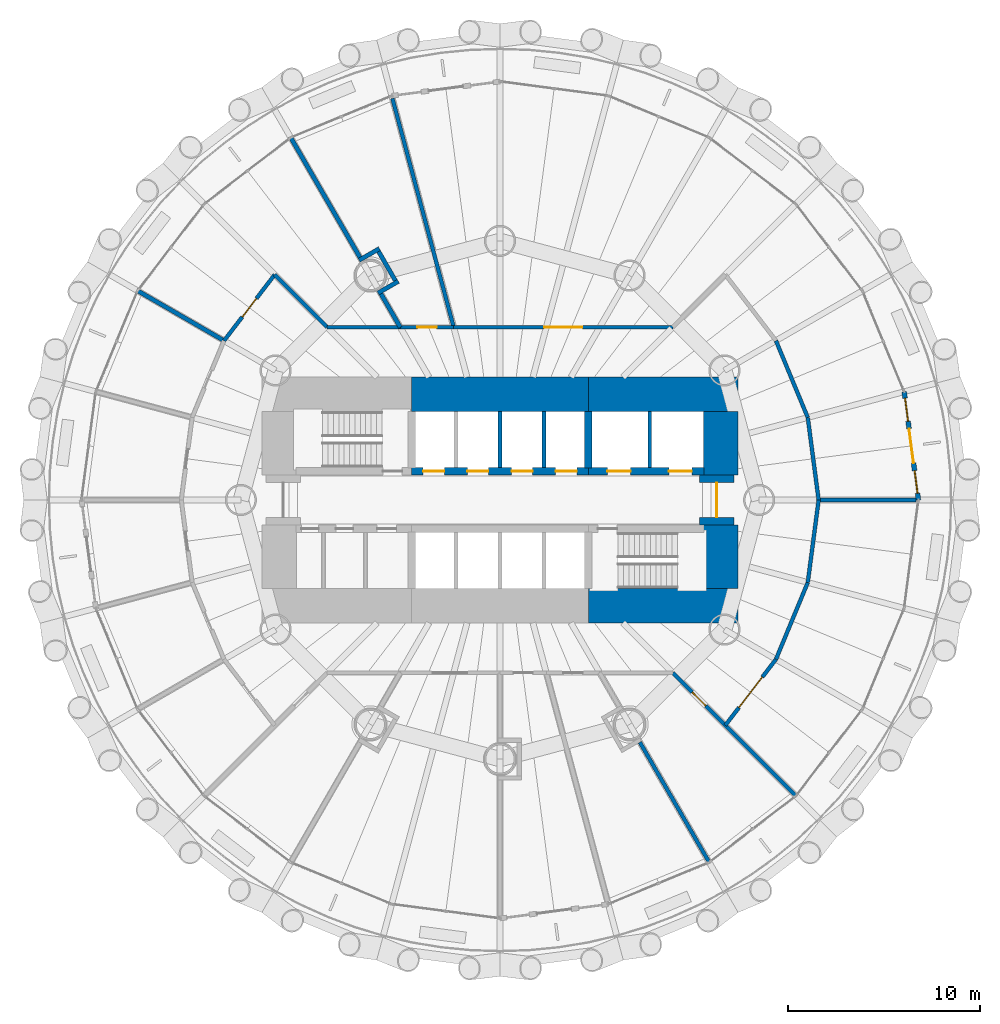
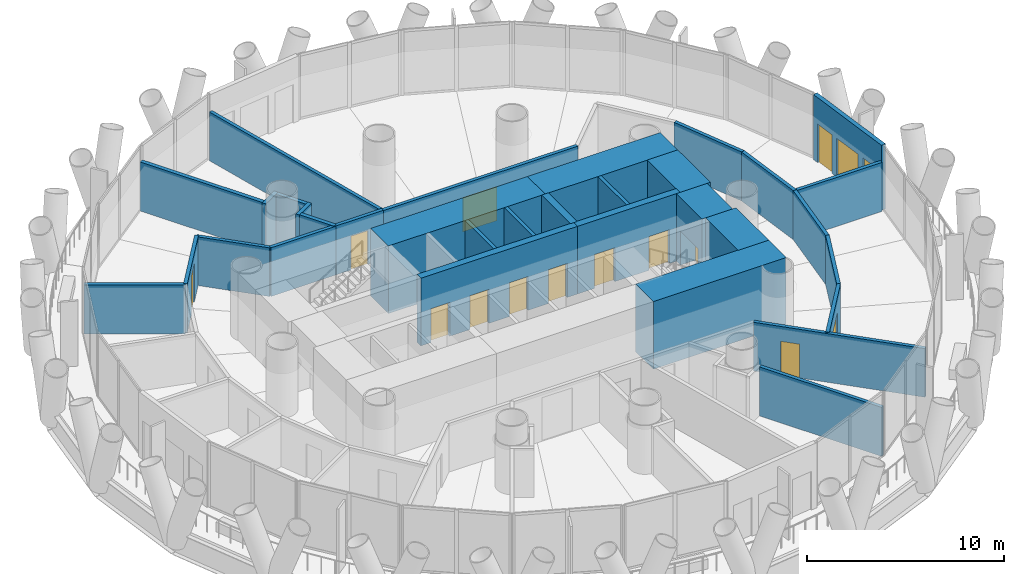
# One storey, part 11 of 16: 33 walls, 13 doors, 2 windows, 15 openings.
"""IFC4 building model written with IfcOpenShell, lengths in metres."""

from ifc_helpers import new_model, si_unit, direction, frame, frame_2d, origin, place, context, subcontext, project, spatial, rectangle, extrude, material, layer, layer_set, type_object, element, fill, save


model = new_model("IFC4")

# Units and contexts
model_context = context("Model", 3, precision=1e-05, world=origin(), true_north=direction((0.0, 1.0)))
body_context = subcontext(model_context, "Body", "Model", "MODEL_VIEW")
ifc_project = project(units=[si_unit("LENGTHUNIT", "METRE"), si_unit("AREAUNIT", "SQUARE_METRE"), si_unit("VOLUMEUNIT", "CUBIC_METRE"), si_unit("PLANEANGLEUNIT", "RADIAN"), si_unit("MASSUNIT", "GRAM", prefix="KILO")], contexts=[model_context])

# Site, building, storey
site_placement = place(None, origin())
site = spatial("IfcSite", under=ifc_project, at=site_placement, CompositionType="ELEMENT")
building_placement = place(site_placement, origin())
building = spatial("IfcBuilding", under=site, at=building_placement, Name="Qaws Media Tower", CompositionType="ELEMENT")
storey_placement = place(building_placement, frame((0.0, 0.0, 42.800048828125)))
storey = spatial("IfcBuildingStorey", under=building, at=storey_placement, Name="L08", CompositionType="ELEMENT", Elevation=42.800048828125)

# Walls
ifc_material_1 = material(Name="Twin metal stud frames, two layers gypsum board each side, insulated, Rw 55", Category="gypsum")
ifc_layer_1 = layer(ifc_material_1, 0.22509765625)
ifc_layer_set_1 = layer_set([ifc_layer_1], Name="Acoustic twin-stud partition 225 Rw 55")
wall_type_1 = type_object("IfcWallType", Name="Acoustic twin-stud partition 225 Rw 55", PredefinedType="PARTITIONING", material=ifc_layer_set_1)
wall_1_placement = place(storey_placement, frame((53.645263671875, 60.781494140625, 0.0), z_axis=(0.0, 0.0, 1.0), x_axis=(0.866019052629, 0.500011000363, 0.0)))
element("IfcWall", 1, at=wall_1_placement, inside=storey, type_object=wall_type_1, Name="W049 IW6 partition return L08", PredefinedType="PARTITIONING", context=body_context, shape_type="SweptSolid", body=[
    extrude(rectangle(XDim=1.220703125, YDim=0.22509765625, at=frame_2d((0.6103515625, 0.0))), origin(), (0.0, 0.0, 1.0), 3.02001953125),
])
wall_2_placement = place(storey_placement, frame((52.659912109375, 62.488525390625, 0.0), z_axis=(0.0, 0.0, 1.0), x_axis=(0.865969036334, 0.500097618581, 0.0)))
element("IfcWall", 2, at=wall_2_placement, inside=storey, type_object=wall_type_1, Name="W045 IW6 partition return L08", PredefinedType="PARTITIONING", context=body_context, shape_type="SweptSolid", body=[
    extrude(rectangle(XDim=1.220458984375, YDim=0.22509765625, at=frame_2d((0.6103515625, 0.0))), origin(), (0.0, 0.0, 1.0), 3.02001953125),
])
wall_3_placement = place(storey_placement, frame((54.548583984375, 61.43310546875, 0.0), z_axis=(0.0, 0.0, 1.0), x_axis=(-0.500049268192, 0.865996956912, 0.0)))
element("IfcWall", 3, at=wall_3_placement, inside=storey, type_object=wall_type_1, Name="W051 IW6 partition return L08", PredefinedType="PARTITIONING", context=body_context, shape_type="SweptSolid", body=[
    extrude(rectangle(XDim=1.745849609375, YDim=0.22509765625, at=frame_2d((0.873046875, 0.0))), origin(), (0.0, 0.0, 1.0), 3.02001953125),
])
wall_4_placement = place(storey_placement, frame((54.81005859375, 58.9892578125, 0.0), z_axis=(0.0, 0.0, 1.0), x_axis=(-0.499969802211, 0.866042837784, 0.0)))
element("IfcWall", 4, at=wall_4_placement, inside=storey, type_object=wall_type_1, Name="W053 IW6 partition L08", PredefinedType="PARTITIONING", context=body_context, shape_type="SweptSolid", body=[
    extrude(rectangle(XDim=2.022216796875, YDim=0.22509765625, at=frame_2d((1.01123046875, 0.0))), origin(), (0.0, 0.0, 1.0), 3.0400390625),
])
wall_5_placement = place(storey_placement, frame((52.700927734375, 62.64208984375, 0.0), z_axis=(0.0, 0.0, 1.0), x_axis=(-0.499970319043, 0.866042539415, 0.0)))
element("IfcWall", 5, at=wall_5_placement, inside=storey, type_object=wall_type_1, Name="W047 IW6 partition L08", PredefinedType="PARTITIONING", context=body_context, shape_type="SweptSolid", body=[
    extrude(rectangle(XDim=7.162109375, YDim=0.22509765625, at=frame_2d((3.5810546875, 0.0))), origin(), (0.0, 0.0, 1.0), 3.0400390625),
])
wall_6_placement = place(storey_placement, frame((45.6240234375, 58.300048828125, 0.0), z_axis=(0.0, 0.0, 1.0), x_axis=(-0.866042189445, 0.499970925255, 0.0)))
element("IfcWall", 6, at=wall_6_placement, inside=storey, type_object=wall_type_1, Name="W043 IW6 partition L08", PredefinedType="PARTITIONING", context=body_context, shape_type="SweptSolid", body=[
    extrude(rectangle(XDim=5.159912109375, YDim=0.22509765625, at=frame_2d((2.580078125, 0.0))), origin(), (0.0, 0.0, 1.0), 3.0400390625),
])

# Wall, openings, door, windows
ifc_material_2 = material(Name="Precast concrete, exposed finish", Category="concrete")
ifc_layer_2 = layer(ifc_material_2, 0.25)
ifc_layer_set_2 = layer_set([ifc_layer_2], Name="Balcony door wall 250")
wall_type_2 = type_object("IfcWallType", Name="Balcony door wall 250", PredefinedType="SOLIDWALL", material=ifc_layer_set_2)
wall_7_placement = place(storey_placement, frame((81.800048828125, 50.0, 0.0), z_axis=(0.0, 0.0, 1.0), x_axis=(-0.130542179395, 0.991442756491, 0.0)))
wall_7 = element("IfcWall", 7, at=wall_7_placement, inside=storey, type_object=wall_type_2, Name="W124 EW1 balcony door wall L08-01", PredefinedType="SOLIDWALL", context=body_context, shape_type="SweptSolid", body=[
    extrude(rectangle(XDim=5.69091796875, YDim=0.25, at=frame_2d((2.845458984375, 0.0))), origin(), (0.0, 0.0, 1.0), 4.0400390625),
])
opening_1_placement = place(wall_7_placement, frame((1.945556640625, 0.0, 0.0)))
opening_1 = element("IfcOpeningElement", 8, at=opening_1_placement, cuts=wall_7, Name="Opening D7", PredefinedType="OPENING", context=body_context, shape_type="SweptSolid", body=[
    extrude(rectangle(XDim=1.800048828125, YDim=2.39990234375, at=frame_2d((0.89990234375, 1.199951171875))), frame((0.0, 0.135009765625, 0.0), z_axis=(0.0, -1.0, 0.0), x_axis=(1.0, 0.0, 0.0)), (0.0, 0.0, 1.0), 0.27001953125),
])
opening_2_placement = place(wall_7_placement, frame((0.345458984375, 0.0, 0.0)))
opening_2 = element("IfcOpeningElement", 9, at=opening_2_placement, cuts=wall_7, Name="Opening W1", PredefinedType="OPENING", context=body_context, shape_type="SweptSolid", body=[
    extrude(rectangle(XDim=1.199951171875, YDim=2.39990234375, at=frame_2d((0.60009765625, 1.199951171875))), frame((0.0, 0.135009765625, 0.0), z_axis=(0.0, -1.0, 0.0), x_axis=(1.0, 0.0, 0.0)), (0.0, 0.0, 1.0), 0.27001953125),
])
opening_3_placement = place(wall_7_placement, frame((4.1455078125, 0.0, 0.0)))
opening_3 = element("IfcOpeningElement", 10, at=opening_3_placement, cuts=wall_7, Name="Opening W1", PredefinedType="OPENING", context=body_context, shape_type="SweptSolid", body=[
    extrude(rectangle(XDim=1.199951171875, YDim=2.39990234375, at=frame_2d((0.60009765625, 1.199951171875))), frame((0.0, 0.135009765625, 0.0), z_axis=(0.0, -1.0, 0.0), x_axis=(1.0, 0.0, 0.0)), (0.0, 0.0, 1.0), 0.27001953125),
])
ifc_material_3 = material(Name="Aluminium and clear glass", Category="aluminium")
door_type_1 = type_object("IfcDoorType", Name="Balcony door pair 1800", OperationType="DOUBLE_DOOR_SLIDING", PredefinedType="DOOR", material=ifc_material_3)
door_1_placement = place(opening_1_placement, origin())
door_1 = element("IfcDoor", 11, at=door_1_placement, inside=storey, type_object=door_type_1, Name="D7 balcony door L08-01 in wall W124", OperationType="DOUBLE_DOOR_SLIDING", OverallHeight=2.39990234375, OverallWidth=1.800048828125, PredefinedType="DOOR", context=body_context, shape_type="SweptSolid", body=[
    extrude(rectangle(XDim=1.800048828125, YDim=2.39990234375, at=frame_2d((0.89990234375, 1.199951171875))), frame((0.0, 0.02490234375, 0.0), z_axis=(0.0, -1.0, 0.0), x_axis=(1.0, 0.0, 0.0)), (0.0, 0.0, 1.0), 0.050048828125),
])
fill(opening_1, door_1)
ifc_material_4 = material(Name="Aluminium and clear glass", Category="aluminium")
window_type = type_object("IfcWindowType", Name="Balcony side window 1200", PartitioningType="SINGLE_PANEL", PredefinedType="WINDOW", material=ifc_material_4)
window_1_placement = place(opening_2_placement, origin())
window_1 = element("IfcWindow", 12, at=window_1_placement, inside=storey, type_object=window_type, Name="W1 balcony side light L08-01L", OverallHeight=2.39990234375, OverallWidth=1.199951171875, PartitioningType="SINGLE_PANEL", PredefinedType="WINDOW", context=body_context, shape_type="SweptSolid", body=[
    extrude(rectangle(XDim=1.199951171875, YDim=2.39990234375, at=frame_2d((0.60009765625, 1.199951171875))), frame((0.0, 0.030029296875, 0.0), z_axis=(0.0, -1.0, 0.0), x_axis=(1.0, 0.0, 0.0)), (0.0, 0.0, 1.0), 0.06005859375),
])
fill(opening_2, window_1)
window_2_placement = place(opening_3_placement, origin())
window_2 = element("IfcWindow", 13, at=window_2_placement, inside=storey, type_object=window_type, Name="W1 balcony side light L08-01R", OverallHeight=2.39990234375, OverallWidth=1.199951171875, PartitioningType="SINGLE_PANEL", PredefinedType="WINDOW", context=body_context, shape_type="SweptSolid", body=[
    extrude(rectangle(XDim=1.199951171875, YDim=2.39990234375, at=frame_2d((0.60009765625, 1.199951171875))), frame((0.0, 0.030029296875, 0.0), z_axis=(0.0, -1.0, 0.0), x_axis=(1.0, 0.0, 0.0)), (0.0, 0.0, 1.0), 0.06005859375),
])
fill(opening_3, window_2)

# Wall, openings, doors
ifc_material_5 = material(Name="Concrete C60/75", Category="concrete")
ifc_layer_3 = layer(ifc_material_5, 0.39990234375)
ifc_layer_set_3 = layer_set([ifc_layer_3], Name="Core inner wall 400")
wall_type_3 = type_object("IfcWallType", Name="Core inner wall 400", PredefinedType="SHEAR", material=ifc_layer_set_3)
wall_8_placement = place(storey_placement, frame((55.39990234375, 51.5, 0.0), z_axis=(0.0, 0.0, 1.0), x_axis=(1.0, 0.0, 0.0)))
wall_8 = element("IfcWall", 14, at=wall_8_placement, inside=storey, type_object=wall_type_3, Name="W314 SW4 core wall SPN L08", PredefinedType="SHEAR", context=body_context, shape_type="SweptSolid", body=[
    extrude(rectangle(XDim=9.2001953125, YDim=0.39990234375, at=frame_2d((4.60009765625, 0.0))), origin(), (0.0, 0.0, 1.0), 4.199951171875),
])
opening_4_placement = place(wall_8_placement, frame((0.60009765625, 0.0, 0.0)))
opening_4 = element("IfcOpeningElement", 15, at=opening_4_placement, cuts=wall_8, Name="Opening LD", PredefinedType="OPENING", context=body_context, shape_type="SweptSolid", body=[
    extrude(rectangle(XDim=1.10009765625, YDim=2.10009765625, at=frame_2d((0.550048828125, 1.050048828125))), frame((0.0, 0.2099609375, 0.0), z_axis=(0.0, -1.0, 0.0), x_axis=(1.0, 0.0, 0.0)), (0.0, 0.0, 1.0), 0.419921875),
])
opening_5_placement = place(wall_8_placement, frame((2.89990234375, 0.0, 0.0)))
opening_5 = element("IfcOpeningElement", 16, at=opening_5_placement, cuts=wall_8, Name="Opening LD", PredefinedType="OPENING", context=body_context, shape_type="SweptSolid", body=[
    extrude(rectangle(XDim=1.10009765625, YDim=2.10009765625, at=frame_2d((0.550048828125, 1.050048828125))), frame((0.0, 0.2099609375, 0.0), z_axis=(0.0, -1.0, 0.0), x_axis=(1.0, 0.0, 0.0)), (0.0, 0.0, 1.0), 0.419921875),
])
opening_6_placement = place(wall_8_placement, frame((5.199951171875, 0.0, 0.0)))
opening_6 = element("IfcOpeningElement", 17, at=opening_6_placement, cuts=wall_8, Name="Opening LD", PredefinedType="OPENING", context=body_context, shape_type="SweptSolid", body=[
    extrude(rectangle(XDim=1.10009765625, YDim=2.10009765625, at=frame_2d((0.550048828125, 1.050048828125))), frame((0.0, 0.2099609375, 0.0), z_axis=(0.0, -1.0, 0.0), x_axis=(1.0, 0.0, 0.0)), (0.0, 0.0, 1.0), 0.419921875),
])
opening_7_placement = place(wall_8_placement, frame((7.5, 0.0, 0.0)))
opening_7 = element("IfcOpeningElement", 18, at=opening_7_placement, cuts=wall_8, Name="Opening LD", PredefinedType="OPENING", context=body_context, shape_type="SweptSolid", body=[
    extrude(rectangle(XDim=1.10009765625, YDim=2.10009765625, at=frame_2d((0.550048828125, 1.050048828125))), frame((0.0, 0.2099609375, 0.0), z_axis=(0.0, -1.0, 0.0), x_axis=(1.0, 0.0, 0.0)), (0.0, 0.0, 1.0), 0.419921875),
])
ifc_material_6 = material(Name="Steel, fire rated", Category="steel")
door_type_2 = type_object("IfcDoorType", Name="Lift landing door 1100", OperationType="SLIDING_TO_LEFT", PredefinedType="DOOR", material=ifc_material_6)
door_2_placement = place(opening_4_placement, origin())
door_2 = element("IfcDoor", 19, at=door_2_placement, inside=storey, type_object=door_type_2, Name="P1 landing door L08 in wall W314", OperationType="SLIDING_TO_LEFT", OverallHeight=2.10009765625, OverallWidth=1.10009765625, PredefinedType="DOOR", context=body_context, shape_type="SweptSolid", body=[
    extrude(rectangle(XDim=1.10009765625, YDim=2.10009765625, at=frame_2d((0.550048828125, 1.050048828125))), frame((0.0, 0.02490234375, 0.0), z_axis=(0.0, -1.0, 0.0), x_axis=(1.0, 0.0, 0.0)), (0.0, 0.0, 1.0), 0.050048828125),
])
fill(opening_4, door_2)
door_3_placement = place(opening_5_placement, origin())
door_3 = element("IfcDoor", 20, at=door_3_placement, inside=storey, type_object=door_type_2, Name="P2 landing door L08 in wall W314", OperationType="SLIDING_TO_LEFT", OverallHeight=2.10009765625, OverallWidth=1.10009765625, PredefinedType="DOOR", context=body_context, shape_type="SweptSolid", body=[
    extrude(rectangle(XDim=1.10009765625, YDim=2.10009765625, at=frame_2d((0.550048828125, 1.050048828125))), frame((0.0, 0.02490234375, 0.0), z_axis=(0.0, -1.0, 0.0), x_axis=(1.0, 0.0, 0.0)), (0.0, 0.0, 1.0), 0.050048828125),
])
fill(opening_5, door_3)
door_4_placement = place(opening_6_placement, origin())
door_4 = element("IfcDoor", 21, at=door_4_placement, inside=storey, type_object=door_type_2, Name="P3 landing door L08 in wall W314", OperationType="SLIDING_TO_LEFT", OverallHeight=2.10009765625, OverallWidth=1.10009765625, PredefinedType="DOOR", context=body_context, shape_type="SweptSolid", body=[
    extrude(rectangle(XDim=1.10009765625, YDim=2.10009765625, at=frame_2d((0.550048828125, 1.050048828125))), frame((0.0, 0.02490234375, 0.0), z_axis=(0.0, -1.0, 0.0), x_axis=(1.0, 0.0, 0.0)), (0.0, 0.0, 1.0), 0.050048828125),
])
fill(opening_6, door_4)
door_5_placement = place(opening_7_placement, origin())
door_5 = element("IfcDoor", 22, at=door_5_placement, inside=storey, type_object=door_type_2, Name="P4 landing door L08 in wall W314", OperationType="SLIDING_TO_LEFT", OverallHeight=2.10009765625, OverallWidth=1.10009765625, PredefinedType="DOOR", context=body_context, shape_type="SweptSolid", body=[
    extrude(rectangle(XDim=1.10009765625, YDim=2.10009765625, at=frame_2d((0.550048828125, 1.050048828125))), frame((0.0, 0.02490234375, 0.0), z_axis=(0.0, -1.0, 0.0), x_axis=(1.0, 0.0, 0.0)), (0.0, 0.0, 1.0), 0.050048828125),
])
fill(opening_7, door_5)

wall_9_placement = place(storey_placement, frame((64.60009765625, 51.5, 0.0), z_axis=(0.0, 0.0, 1.0), x_axis=(1.0, 0.0, 0.0)))
wall_9 = element("IfcWall", 23, at=wall_9_placement, inside=storey, type_object=wall_type_3, Name="W318 SW4 core wall SPNE L08", PredefinedType="SHEAR", context=body_context, shape_type="SweptSolid", body=[
    extrude(rectangle(XDim=6.02001953125, YDim=0.39990234375, at=frame_2d((3.010009765625, 0.0))), origin(), (0.0, 0.0, 1.0), 4.199951171875),
])
opening_8_placement = place(wall_9_placement, frame((1.0, 0.0, 0.0)))
opening_8 = element("IfcOpeningElement", 24, at=opening_8_placement, cuts=wall_9, Name="Opening LD2", PredefinedType="OPENING", context=body_context, shape_type="SweptSolid", body=[
    extrude(rectangle(XDim=1.199951171875, YDim=2.10009765625, at=frame_2d((0.60009765625, 1.050048828125))), frame((0.0, 0.2099609375, 0.0), z_axis=(0.0, -1.0, 0.0), x_axis=(1.0, 0.0, 0.0)), (0.0, 0.0, 1.0), 0.419921875),
])
opening_9_placement = place(wall_9_placement, frame((4.199951171875, 0.0, 0.0)))
opening_9 = element("IfcOpeningElement", 25, at=opening_9_placement, cuts=wall_9, Name="Opening LD2", PredefinedType="OPENING", context=body_context, shape_type="SweptSolid", body=[
    extrude(rectangle(XDim=1.199951171875, YDim=2.10009765625, at=frame_2d((0.60009765625, 1.050048828125))), frame((0.0, 0.2099609375, 0.0), z_axis=(0.0, -1.0, 0.0), x_axis=(1.0, 0.0, 0.0)), (0.0, 0.0, 1.0), 0.419921875),
])
ifc_material_7 = material(Name="Steel, fire rated", Category="steel")
door_type_3 = type_object("IfcDoorType", Name="Lift landing door 1200", OperationType="SLIDING_TO_LEFT", PredefinedType="DOOR", material=ifc_material_7)
door_6_placement = place(opening_8_placement, origin())
door_6 = element("IfcDoor", 26, at=door_6_placement, inside=storey, type_object=door_type_3, Name="FL1 landing door L08 in wall W318", OperationType="SLIDING_TO_LEFT", OverallHeight=2.10009765625, OverallWidth=1.199951171875, PredefinedType="DOOR", context=body_context, shape_type="SweptSolid", body=[
    extrude(rectangle(XDim=1.199951171875, YDim=2.10009765625, at=frame_2d((0.60009765625, 1.050048828125))), frame((0.0, 0.02490234375, 0.0), z_axis=(0.0, -1.0, 0.0), x_axis=(1.0, 0.0, 0.0)), (0.0, 0.0, 1.0), 0.050048828125),
])
fill(opening_8, door_6)
door_7_placement = place(opening_9_placement, origin())
door_7 = element("IfcDoor", 27, at=door_7_placement, inside=storey, type_object=door_type_3, Name="FL2 landing door L08 in wall W318", OperationType="SLIDING_TO_LEFT", OverallHeight=2.10009765625, OverallWidth=1.199951171875, PredefinedType="DOOR", context=body_context, shape_type="SweptSolid", body=[
    extrude(rectangle(XDim=1.199951171875, YDim=2.10009765625, at=frame_2d((0.60009765625, 1.050048828125))), frame((0.0, 0.02490234375, 0.0), z_axis=(0.0, -1.0, 0.0), x_axis=(1.0, 0.0, 0.0)), (0.0, 0.0, 1.0), 0.050048828125),
])
fill(opening_9, door_7)

# Walls
wall_10_placement = place(storey_placement, frame((64.60009765625, 51.679931640625, 0.0), z_axis=(0.0, 0.0, 1.0), x_axis=(0.0, 1.0, 0.0)))
element("IfcWall", 28, at=wall_10_placement, inside=storey, type_object=wall_type_3, Name="W319 SW4 core wall XNE L08", PredefinedType="SHEAR", context=body_context, shape_type="SweptSolid", body=[
    extrude(rectangle(XDim=2.940185546875, YDim=0.39990234375, at=frame_2d((1.47021484375, 0.0))), origin(), (0.0, 0.0, 1.0), 4.199951171875),
])
ifc_material_8 = material(Name="Concrete C60/75", Category="concrete")
ifc_layer_4 = layer(ifc_material_8, 1.800048828125)
ifc_layer_set_4 = layer_set([ifc_layer_4], Name="Core wall 1800")
wall_type_4 = type_object("IfcWallType", Name="Core wall 1800", PredefinedType="SHEAR", material=ifc_layer_set_4)
wall_11_placement = place(storey_placement, frame((55.39990234375, 55.5, 0.0), z_axis=(0.0, 0.0, 1.0), x_axis=(1.0, 0.0, 0.0)))
element("IfcWall", 29, at=wall_11_placement, inside=storey, type_object=wall_type_4, Name="W404 SW11 core wall N L08", PredefinedType="SHEAR", context=body_context, shape_type="SweptSolid", body=[
    extrude(rectangle(XDim=9.2001953125, YDim=1.800048828125, at=frame_2d((4.60009765625, 0.0))), origin(), (0.0, 0.0, 1.0), 4.199951171875),
])
for number, where, z_axis, x_axis, name in (
    (30, (64.60009765625, 55.5, 0.0), (0.0, 0.0, 1.0), (1.0, 0.0, 0.0), "W406 SW11 core wall NE L08"),
    (31, (64.60009765625, 44.5, 0.0), (0.0, 0.0, 1.0), (1.0, 0.0, 0.0), "W405 SW11 core wall SE L08"),
):
    element("IfcWall", number, at=place(storey_placement, frame(where, z_axis=z_axis, x_axis=x_axis)), inside=storey, type_object=wall_type_4, Name=name, PredefinedType="SHEAR", context=body_context, shape_type="SweptSolid", body=[
        extrude(rectangle(XDim=7.7998046875, YDim=1.800048828125, at=frame_2d((3.89990234375, 0.0))), origin(), (0.0, 0.0, 1.0), 4.199951171875),
    ])
wall_12_placement = place(storey_placement, frame((71.5, 45.3798828125, 0.0), z_axis=(0.0, 0.0, 1.0), x_axis=(0.0, 1.0, 0.0)))
element("IfcWall", 32, at=wall_12_placement, inside=storey, type_object=wall_type_4, Name="W414 SW11 core wall ES L08", PredefinedType="SHEAR", context=body_context, shape_type="SweptSolid", body=[
    extrude(rectangle(XDim=3.320068359375, YDim=1.800048828125, at=frame_2d((1.66015625, 0.0))), origin(), (0.0, 0.0, 1.0), 4.199951171875),
])

# Wall, opening, door
wall_13_placement = place(storey_placement, frame((71.300048828125, 48.699951171875, 0.0), z_axis=(0.0, 0.0, 1.0), x_axis=(0.0, 1.0, 0.0)))
wall_13 = element("IfcWall", 33, at=wall_13_placement, inside=storey, type_object=wall_type_4, Name="W413 SW11 core wall E L08", PredefinedType="SHEAR", context=body_context, shape_type="SweptSolid", body=[
    extrude(rectangle(XDim=2.60009765625, YDim=1.800048828125, at=frame_2d((1.300048828125, 0.0))), origin(), (0.0, 0.0, 1.0), 4.199951171875),
])
opening_10_placement = place(wall_13_placement, frame((0.39990234375, 0.0, 0.0)))
opening_10 = element("IfcOpeningElement", 34, at=opening_10_placement, cuts=wall_13, Name="Opening D2", PredefinedType="OPENING", context=body_context, shape_type="SweptSolid", body=[
    extrude(rectangle(XDim=1.800048828125, YDim=2.10009765625, at=frame_2d((0.89990234375, 1.050048828125))), frame((0.0, 0.909912109375, 0.0), z_axis=(0.0, -1.0, 0.0), x_axis=(1.0, 0.0, 0.0)), (0.0, 0.0, 1.0), 1.820068359375),
])
ifc_material_9 = material(Name="Steel and glass, fire rated", Category="steel")
door_type_4 = type_object("IfcDoorType", Name="Lobby door pair 1800 FD60", OperationType="DOUBLE_DOOR_DOUBLE_SWING", PredefinedType="DOOR", material=ifc_material_9)
door_8_placement = place(opening_10_placement, origin())
door_8 = element("IfcDoor", 35, at=door_8_placement, inside=storey, type_object=door_type_4, Name="D2 core lobby door E L08 in wall W413", OperationType="DOUBLE_DOOR_DOUBLE_SWING", OverallHeight=2.10009765625, OverallWidth=1.800048828125, PredefinedType="DOOR", context=body_context, shape_type="SweptSolid", body=[
    extrude(rectangle(XDim=1.800048828125, YDim=2.10009765625, at=frame_2d((0.89990234375, 1.050048828125))), frame((0.0, 0.02490234375, 0.0), z_axis=(0.0, -1.0, 0.0), x_axis=(1.0, 0.0, 0.0)), (0.0, 0.0, 1.0), 0.050048828125),
])
fill(opening_10, door_8)

# Wall
wall_14_placement = place(storey_placement, frame((71.5, 51.300048828125, 0.0), z_axis=(0.0, 0.0, 1.0), x_axis=(0.0, 1.0, 0.0)))
element("IfcWall", 36, at=wall_14_placement, inside=storey, type_object=wall_type_4, Name="W415 SW11 core wall EN L08", PredefinedType="SHEAR", context=body_context, shape_type="SweptSolid", body=[
    extrude(rectangle(XDim=3.320068359375, YDim=1.800048828125, at=frame_2d((1.66015625, 0.0))), origin(), (0.0, 0.0, 1.0), 4.199951171875),
])

# Wall, opening, door
ifc_material_10 = material(Name="Gypsum board on galvanised metal studs, acoustic double stud, deflection head", Category="gypsum")
ifc_layer_5 = layer(ifc_material_10, 0.199951171875)
ifc_layer_set_5 = layer_set([ifc_layer_5], Name="Room partition 200")
wall_type_5 = type_object("IfcWallType", Name="Room partition 200", PredefinedType="PARTITIONING", material=ifc_layer_set_5)
wall_15_placement = place(storey_placement, frame((45.6240234375, 58.300048828125, 0.0), z_axis=(0.0, 0.0, 1.0), x_axis=(0.60874374674, 0.79336690806, 0.0)))
wall_15 = element("IfcWall", 37, at=wall_15_placement, inside=storey, type_object=wall_type_5, Name="W992 IW3 partition L08", PredefinedType="PARTITIONING", context=body_context, shape_type="SweptSolid", body=[
    extrude(rectangle(XDim=4.33349609375, YDim=0.199951171875, at=frame_2d((2.166748046875, 0.0))), origin(), (0.0, 0.0, 1.0), 3.0400390625),
])
opening_11_placement = place(wall_15_placement, frame((1.566650390625, 0.0, 0.0)))
opening_11 = element("IfcOpeningElement", 38, at=opening_11_placement, cuts=wall_15, Name="Opening D14", PredefinedType="OPENING", context=body_context, shape_type="SweptSolid", body=[
    extrude(rectangle(XDim=1.199951171875, YDim=2.39990234375, at=frame_2d((0.60009765625, 1.199951171875))), frame((0.0, 0.10986328125, 0.0), z_axis=(0.0, -1.0, 0.0), x_axis=(1.0, 0.0, 0.0)), (0.0, 0.0, 1.0), 0.219970703125),
])
ifc_material_11 = material(Name="Steel acoustic door set, Rw 45", Category="steel")
door_type_5 = type_object("IfcDoorType", Name="Acoustic door 1200x2400 Rw 45", OperationType="SINGLE_SWING_LEFT", PredefinedType="DOOR", material=ifc_material_11)
door_9_placement = place(opening_11_placement, origin())
door_9 = element("IfcDoor", 39, at=door_9_placement, inside=storey, type_object=door_type_5, Name="D14 Colour grading room door L08 in wall W992", OperationType="SINGLE_SWING_LEFT", OverallHeight=2.39990234375, OverallWidth=1.199951171875, PredefinedType="DOOR", context=body_context, shape_type="SweptSolid", body=[
    extrude(rectangle(XDim=1.199951171875, YDim=2.39990234375, at=frame_2d((0.60009765625, 1.199951171875))), frame((0.0, 0.02490234375, 0.0), z_axis=(0.0, -1.0, 0.0), x_axis=(1.0, 0.0, 0.0)), (0.0, 0.0, 1.0), 0.050048828125),
])
fill(opening_11, door_9)

# Walls
wall_16_placement = place(storey_placement, frame((48.261962890625, 61.738037109375, 0.0), z_axis=(0.0, 0.0, 1.0), x_axis=(0.707106781187, -0.707106781187, 0.0)))
element("IfcWall", 40, at=wall_16_placement, inside=storey, type_object=wall_type_5, Name="W994 IW3 partition L08", PredefinedType="PARTITIONING", context=body_context, shape_type="SweptSolid", body=[
    extrude(rectangle(XDim=3.8720703125, YDim=0.199951171875, at=frame_2d((1.93603515625, 0.0))), origin(), (0.0, 0.0, 1.0), 3.02001953125),
])
wall_17_placement = place(storey_placement, frame((51.0, 59.0, 0.0), z_axis=(0.0, 0.0, 1.0), x_axis=(1.0, 0.0, 0.0)))
element("IfcWall", 41, at=wall_17_placement, inside=storey, type_object=wall_type_5, Name="W996 IW3 partition L08", PredefinedType="PARTITIONING", context=body_context, shape_type="SweptSolid", body=[
    extrude(rectangle(XDim=3.8037109375, YDim=0.199951171875, at=frame_2d((1.90185546875, 0.0))), origin(), (0.0, 0.0, 1.0), 3.02001953125),
])

# Wall, opening, door
wall_18_placement = place(storey_placement, frame((54.8037109375, 59.0, 0.0), z_axis=(0.0, 0.0, 1.0), x_axis=(1.0, 0.0, 0.0)))
wall_18 = element("IfcWall", 42, at=wall_18_placement, inside=storey, type_object=wall_type_5, Name="W998 IW3 partition L08", PredefinedType="PARTITIONING", context=body_context, shape_type="SweptSolid", body=[
    extrude(rectangle(XDim=2.78466796875, YDim=0.199951171875, at=frame_2d((1.392333984375, 0.0))), origin(), (0.0, 0.0, 1.0), 3.0400390625),
])
opening_12_placement = place(wall_18_placement, frame((0.892333984375, 0.0, 0.0)))
opening_12 = element("IfcOpeningElement", 43, at=opening_12_placement, cuts=wall_18, Name="Opening D5", PredefinedType="OPENING", context=body_context, shape_type="SweptSolid", body=[
    extrude(rectangle(XDim=1.0, YDim=2.10009765625, at=frame_2d((0.5, 1.050048828125))), frame((0.0, 0.10986328125, 0.0), z_axis=(0.0, -1.0, 0.0), x_axis=(1.0, 0.0, 0.0)), (0.0, 0.0, 1.0), 0.219970703125),
])
ifc_material_12 = material(Name="Timber veneered, acoustic seal", Category="wood")
door_type_6 = type_object("IfcDoorType", Name="Room door 1000", OperationType="SINGLE_SWING_LEFT", PredefinedType="DOOR", material=ifc_material_12)
door_10_placement = place(opening_12_placement, origin())
door_10 = element("IfcDoor", 44, at=door_10_placement, inside=storey, type_object=door_type_6, Name="D5 Media asset room door L08 in wall W998", OperationType="SINGLE_SWING_LEFT", OverallHeight=2.10009765625, OverallWidth=1.0, PredefinedType="DOOR", context=body_context, shape_type="SweptSolid", body=[
    extrude(rectangle(XDim=1.0, YDim=2.10009765625, at=frame_2d((0.5, 1.050048828125))), frame((0.0, 0.02490234375, 0.0), z_axis=(0.0, -1.0, 0.0), x_axis=(1.0, 0.0, 0.0)), (0.0, 0.0, 1.0), 0.050048828125),
])
fill(opening_12, door_10)

wall_19_placement = place(storey_placement, frame((57.58837890625, 59.0, 0.0), z_axis=(0.0, 0.0, 1.0), x_axis=(1.0, 0.0, 0.0)))
wall_19 = element("IfcWall", 45, at=wall_19_placement, inside=storey, type_object=wall_type_5, Name="W1000 IW3 partition L08", PredefinedType="PARTITIONING", context=body_context, shape_type="SweptSolid", body=[
    extrude(rectangle(XDim=11.41162109375, YDim=0.199951171875, at=frame_2d((5.705810546875, 0.0))), origin(), (0.0, 0.0, 1.0), 3.02001953125),
])
opening_13_placement = place(wall_19_placement, frame((4.705810546875, 0.0, 0.0)))
opening_13 = element("IfcOpeningElement", 46, at=opening_13_placement, cuts=wall_19, Name="Opening D6", PredefinedType="OPENING", context=body_context, shape_type="SweptSolid", body=[
    extrude(rectangle(XDim=2.0, YDim=2.10009765625, at=frame_2d((1.0, 1.050048828125))), frame((0.0, 0.10986328125, 0.0), z_axis=(0.0, -1.0, 0.0), x_axis=(1.0, 0.0, 0.0)), (0.0, 0.0, 1.0), 0.219970703125),
])
ifc_material_13 = material(Name="Steel, acoustic, fire rated", Category="steel")
door_type_7 = type_object("IfcDoorType", Name="Room door pair 2000", OperationType="DOUBLE_DOOR_DOUBLE_SWING", PredefinedType="DOOR", material=ifc_material_13)
door_11_placement = place(opening_13_placement, origin())
door_11 = element("IfcDoor", 47, at=door_11_placement, inside=storey, type_object=door_type_7, Name="D6 Production office door L08 in wall W1000", OperationType="DOUBLE_DOOR_DOUBLE_SWING", OverallHeight=2.10009765625, OverallWidth=2.0, PredefinedType="DOOR", context=body_context, shape_type="SweptSolid", body=[
    extrude(rectangle(XDim=2.0, YDim=2.10009765625, at=frame_2d((1.0, 1.050048828125))), frame((0.0, 0.02490234375, 0.0), z_axis=(0.0, -1.0, 0.0), x_axis=(1.0, 0.0, 0.0)), (0.0, 0.0, 1.0), 0.050048828125),
])
fill(opening_13, door_11)

# Walls
for number, where, z_axis, x_axis, name in (
    (48, (74.3759765625, 58.300048828125, 0.0), (0.0, 0.0, 1.0), (0.382698425325, -0.923873322082, 0.0), "W1014 IW3 partition L08"),
    (49, (76.034423828125, 54.29638671875, 0.0), (0.0, 0.0, 1.0), (0.130536124221, -0.99144355375, 0.0), "W1016 IW3 partition L08"),
    (50, (76.60009765625, 50.0, 0.0), (0.0, 0.0, 1.0), (-0.130536124221, -0.99144355375, 0.0), "W1017 IW3 partition L08"),
    (51, (76.034423828125, 45.70361328125, 0.0), (0.0, 0.0, 1.0), (-0.382698425325, -0.923873322082, 0.0), "W1015 IW3 partition L08"),
):
    element("IfcWall", number, at=place(storey_placement, frame(where, z_axis=z_axis, x_axis=x_axis)), inside=storey, type_object=wall_type_5, Name=name, PredefinedType="PARTITIONING", context=body_context, shape_type="SweptSolid", body=[
        extrude(rectangle(XDim=4.33349609375, YDim=0.199951171875, at=frame_2d((2.166748046875, 0.0))), origin(), (0.0, 0.0, 1.0), 3.0400390625),
    ])

# Wall, opening, door
wall_20_placement = place(storey_placement, frame((74.3759765625, 41.699951171875, 0.0), z_axis=(0.0, 0.0, 1.0), x_axis=(-0.60874374674, -0.79336690806, 0.0)))
wall_20 = element("IfcWall", 52, at=wall_20_placement, inside=storey, type_object=wall_type_5, Name="W1013 IW3 partition L08", PredefinedType="PARTITIONING", context=body_context, shape_type="SweptSolid", body=[
    extrude(rectangle(XDim=4.33349609375, YDim=0.199951171875, at=frame_2d((2.166748046875, 0.0))), origin(), (0.0, 0.0, 1.0), 3.0400390625),
])
opening_14_placement = place(wall_20_placement, frame((1.166748046875, 0.0, 0.0)))
opening_14 = element("IfcOpeningElement", 53, at=opening_14_placement, cuts=wall_20, Name="Opening D6", PredefinedType="OPENING", context=body_context, shape_type="SweptSolid", body=[
    extrude(rectangle(XDim=2.0, YDim=2.10009765625, at=frame_2d((1.0, 1.050048828125))), frame((0.0, 0.10986328125, 0.0), z_axis=(0.0, -1.0, 0.0), x_axis=(1.0, 0.0, 0.0)), (0.0, 0.0, 1.0), 0.219970703125),
])
door_12_placement = place(opening_14_placement, origin())
door_12 = element("IfcDoor", 54, at=door_12_placement, inside=storey, type_object=door_type_7, Name="D6 Production office door L08 in wall W1013", OperationType="DOUBLE_DOOR_DOUBLE_SWING", OverallHeight=2.10009765625, OverallWidth=2.0, PredefinedType="DOOR", context=body_context, shape_type="SweptSolid", body=[
    extrude(rectangle(XDim=2.0, YDim=2.10009765625, at=frame_2d((1.0, 1.050048828125))), frame((0.0, 0.02490234375, 0.0), z_axis=(0.0, -1.0, 0.0), x_axis=(1.0, 0.0, 0.0)), (0.0, 0.0, 1.0), 0.050048828125),
])
fill(opening_14, door_12)

# Walls
wall_21_placement = place(storey_placement, frame((76.60009765625, 50.0, 0.0), z_axis=(0.0, 0.0, 1.0), x_axis=(1.0, 0.0, 0.0)))
element("IfcWall", 55, at=wall_21_placement, inside=storey, type_object=wall_type_5, Name="W1018 IW3 partition L08", PredefinedType="PARTITIONING", context=body_context, shape_type="SweptSolid", body=[
    extrude(rectangle(XDim=5.059814453125, YDim=0.199951171875, at=frame_2d((2.52978515625, 0.0))), origin(), (0.0, 0.0, 1.0), 3.0400390625),
])
wall_22_placement = place(storey_placement, frame((57.587890625, 59.00244140625, 0.0), z_axis=(0.0, 0.0, 1.0), x_axis=(-0.258817505218, 0.965926238899, 0.0)))
element("IfcWall", 56, at=wall_22_placement, inside=storey, type_object=wall_type_5, Name="W999 IW3 partition L08", PredefinedType="PARTITIONING", context=body_context, shape_type="SweptSolid", body=[
    extrude(rectangle(XDim=12.340087890625, YDim=0.199951171875, at=frame_2d((6.169921875, 0.0))), origin(), (0.0, 0.0, 1.0), 3.02001953125),
])
wall_23_placement = place(storey_placement, frame((67.28662109375, 37.37939453125, 0.0), z_axis=(0.0, 0.0, 1.0), x_axis=(0.499975343382, -0.866039638822, 0.0)))
element("IfcWall", 57, at=wall_23_placement, inside=storey, type_object=wall_type_5, Name="W1007 IW3 partition L08", PredefinedType="PARTITIONING", context=body_context, shape_type="SweptSolid", body=[
    extrude(rectangle(XDim=7.186767578125, YDim=0.199951171875, at=frame_2d((3.59326171875, 0.0))), origin(), (0.0, 0.0, 1.0), 3.0400390625),
])

# Wall, opening, door
wall_24_placement = place(storey_placement, frame((69.0, 41.0, 0.0), z_axis=(0.0, 0.0, 1.0), x_axis=(0.707106781187, -0.707106781187, 0.0)))
wall_24 = element("IfcWall", 58, at=wall_24_placement, inside=storey, type_object=wall_type_5, Name="W1010 IW3 partition L08", PredefinedType="PARTITIONING", context=body_context, shape_type="SweptSolid", body=[
    extrude(rectangle(XDim=9.0322265625, YDim=0.199951171875, at=frame_2d((4.51611328125, 0.0))), origin(), (0.0, 0.0, 1.0), 3.02001953125),
])
opening_15_placement = place(wall_24_placement, frame((1.43603515625, 0.0, 0.0)))
opening_15 = element("IfcOpeningElement", 59, at=opening_15_placement, cuts=wall_24, Name="Opening D5", PredefinedType="OPENING", context=body_context, shape_type="SweptSolid", body=[
    extrude(rectangle(XDim=1.0, YDim=2.10009765625, at=frame_2d((0.5, 1.050048828125))), frame((0.0, 0.10986328125, 0.0), z_axis=(0.0, -1.0, 0.0), x_axis=(1.0, 0.0, 0.0)), (0.0, 0.0, 1.0), 0.219970703125),
])
door_13_placement = place(opening_15_placement, origin())
door_13 = element("IfcDoor", 60, at=door_13_placement, inside=storey, type_object=door_type_6, Name="D5 Ladies toilets door L08 in wall W1010", OperationType="SINGLE_SWING_LEFT", OverallHeight=2.10009765625, OverallWidth=1.0, PredefinedType="DOOR", context=body_context, shape_type="SweptSolid", body=[
    extrude(rectangle(XDim=1.0, YDim=2.10009765625, at=frame_2d((0.5, 1.050048828125))), frame((0.0, 0.02490234375, 0.0), z_axis=(0.0, -1.0, 0.0), x_axis=(1.0, 0.0, 0.0)), (0.0, 0.0, 1.0), 0.050048828125),
])
fill(opening_15, door_13)

# Walls
ifc_material_14 = material(Name="Fire-rated gypsum board shaft wall on galvanised metal studs, deflection head", Category="gypsum")
ifc_layer_6 = layer(ifc_material_14, 0.199951171875)
ifc_layer_set_6 = layer_set([ifc_layer_6], Name="Shaft wall 200")
wall_type_6 = type_object("IfcWallType", Name="Shaft wall 200", PredefinedType="PARTITIONING", material=ifc_layer_set_6)
for number, where, z_axis, x_axis, name in (
    (61, (60.0, 51.699951171875, 0.0), (0.0, 0.0, 1.0), (0.0, 1.0, 0.0), "W1843 IW1 shaft wall N2 L08"),
    (62, (62.300048828125, 51.699951171875, 0.0), (0.0, 0.0, 1.0), (0.0, 1.0, 0.0), "W1844 IW1 shaft wall N3 L08"),
    (63, (67.800048828125, 51.699951171875, 0.0), (0.0, 0.0, 1.0), (0.0, 1.0, 0.0), "W1845 IW1 shaft wall FL L08"),
):
    element("IfcWall", number, at=place(storey_placement, frame(where, z_axis=z_axis, x_axis=x_axis)), inside=storey, type_object=wall_type_6, Name=name, PredefinedType="PARTITIONING", context=body_context, shape_type="SweptSolid", body=[
        extrude(rectangle(XDim=2.900146484375, YDim=0.199951171875, at=frame_2d((1.4501953125, 0.0))), origin(), (0.0, 0.0, 1.0), 4.199951171875),
    ])

save(model, "model.ifc")
